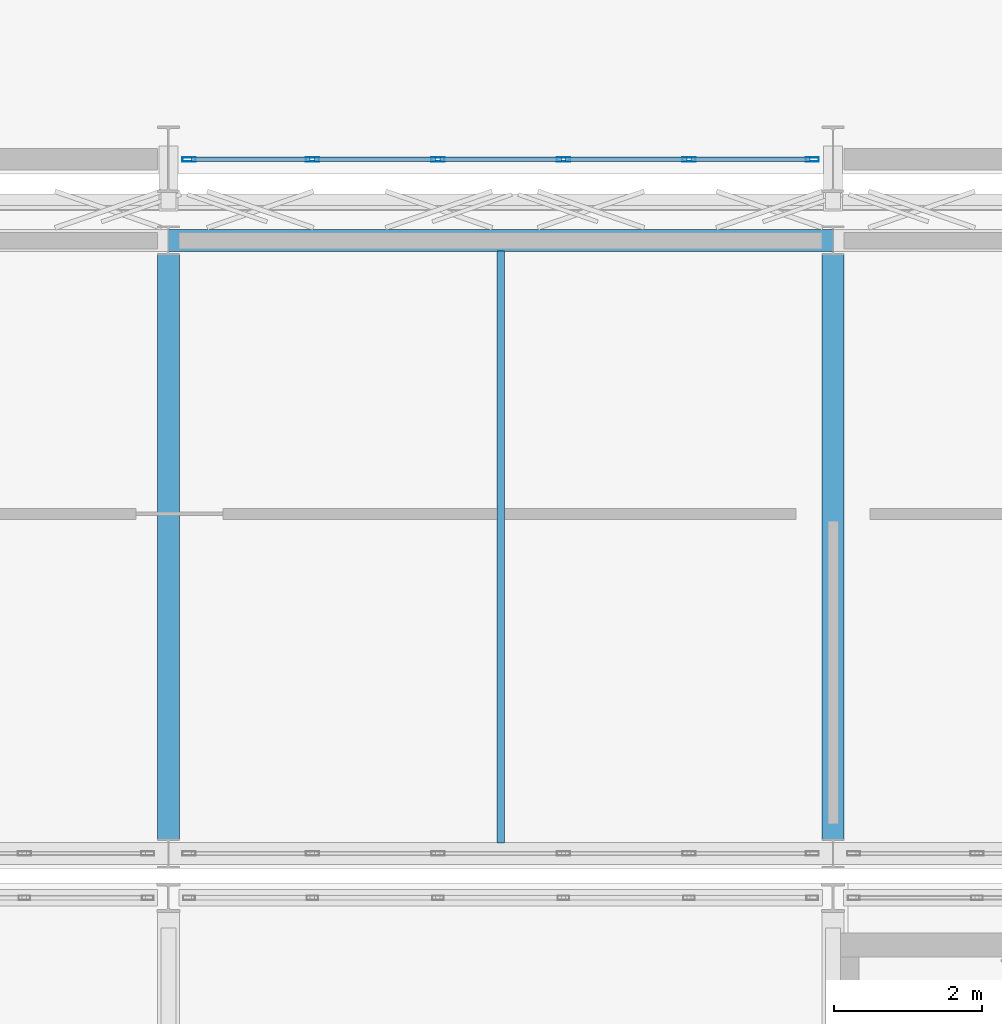
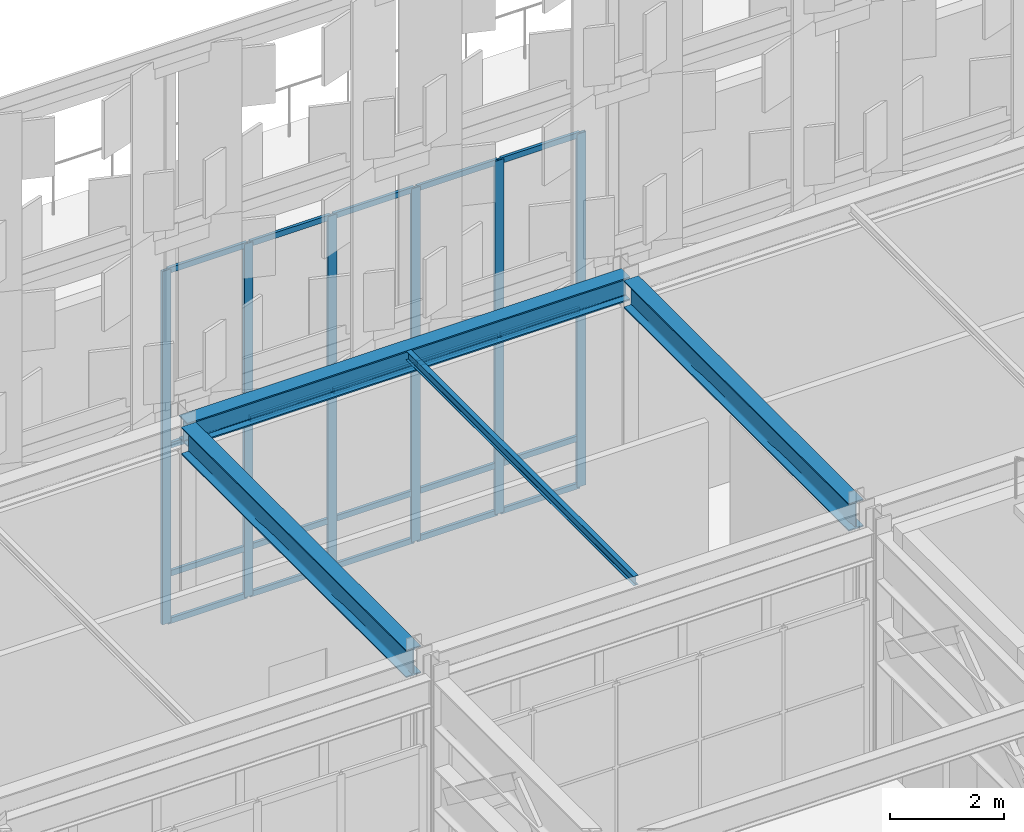
# One storey, part 49 of 210: 26 members, 4 beams, 1 element without a shape of its own.
"""IFC4 building model written with IfcOpenShell, lengths in metres."""

from ifc_helpers import new_model, si_unit, direction, frame, origin, origin_2d, place, context, subcontext, project, spatial, hollow_rectangle, i_section, extrude, material, material_profile, profile_set, type_object, element, aggregate, save


model = new_model("IFC4")

# Units and contexts
model_context = context("Model", 3, precision=1e-05, world=origin(), true_north=direction((0.0, 1.0)))
body_context = subcontext(model_context, "Body", "Model", "MODEL_VIEW")
ifc_project = project(units=[si_unit("LENGTHUNIT", "METRE"), si_unit("AREAUNIT", "SQUARE_METRE"), si_unit("VOLUMEUNIT", "CUBIC_METRE"), si_unit("PLANEANGLEUNIT", "RADIAN"), si_unit("MASSUNIT", "GRAM", prefix="KILO")], contexts=[model_context])

# Site, building, storey
site_placement = place(None, origin())
site = spatial("IfcSite", under=ifc_project, at=site_placement, CompositionType="ELEMENT")
building_placement = place(site_placement, origin())
building = spatial("IfcBuilding", under=site, at=building_placement, Name="Kaldris Quays Convention Centre", CompositionType="ELEMENT")
storey_placement = place(building_placement, frame((0.0, 0.0, 6.0)))
storey = spatial("IfcBuildingStorey", under=building, at=storey_placement, Name="L01", CompositionType="ELEMENT", Elevation=6.0)

# Curtain wall, members
ifc_material_1 = material(Name="Anodized aluminium AW-6060 and triple glazing", Category="aluminium")
curtain_wall_type = type_object("IfcCurtainWallType", Name="UNITISED CURTAIN WALL CW03", PredefinedType="NOTDEFINED", material=ifc_material_1)
curtain_wall_placement = place(storey_placement, origin())
curtain_wall = element("IfcCurtainWall", 1, at=curtain_wall_placement, inside=storey, type_object=curtain_wall_type, Name="L01 Unitised Curtain Wall CW03 3", PredefinedType="NOTDEFINED")
ifc_material_2 = material(Name="Anodized aluminium AW-6060", Category="aluminium")
ifc_material_profile_1 = material_profile(ifc_material_2, hollow_rectangle(XDim=0.06005859375, YDim=0.179931640625, WallThickness=0.0048828125, at=origin_2d()), Name="RHS 180x60x5")
ifc_profile_set_1 = profile_set([ifc_material_profile_1], Name="Anodized aluminium AW-6060")
member_type_1 = type_object("IfcMemberType", Name="CURTAIN MULLION CWM2", PredefinedType="MULLION", material=ifc_profile_set_1)
member_1_placement = place(storey_placement, frame((38.280029296875, 56.0, 0.0), z_axis=(0.0, 0.0, 1.0), x_axis=(0.0, 1.0, 0.0)))
member_1 = element("IfcMember", 2, at=member_1_placement, type_object=member_type_1, Name="CW03 mullion 1", PredefinedType="MULLION", context=body_context, shape_type="SweptSolid", body=[
    extrude(hollow_rectangle(XDim=0.06005859375, YDim=0.179931640625, WallThickness=0.0048828125, at=origin_2d()), origin(), (0.0, 0.0, 1.0), 7.60009765625),
])
member_2_placement = place(storey_placement, frame((39.949951171875, 56.0, 0.0), z_axis=(0.0, 0.0, 1.0), x_axis=(0.0, 1.0, 0.0)))
member_2 = element("IfcMember", 3, at=member_2_placement, type_object=member_type_1, Name="CW03 mullion 2", PredefinedType="MULLION", context=body_context, shape_type="SweptSolid", body=[
    extrude(hollow_rectangle(XDim=0.06005859375, YDim=0.179931640625, WallThickness=0.0048828125, at=origin_2d()), origin(), (0.0, 0.0, 1.0), 7.60009765625),
])
member_3_placement = place(storey_placement, frame((41.64990234375, 56.0, 0.0), z_axis=(0.0, 0.0, 1.0), x_axis=(0.0, 1.0, 0.0)))
member_3 = element("IfcMember", 4, at=member_3_placement, type_object=member_type_1, Name="CW03 mullion 3", PredefinedType="MULLION", context=body_context, shape_type="SweptSolid", body=[
    extrude(hollow_rectangle(XDim=0.06005859375, YDim=0.179931640625, WallThickness=0.0048828125, at=origin_2d()), origin(), (0.0, 0.0, 1.0), 7.60009765625),
])
member_4_placement = place(storey_placement, frame((43.35009765625, 56.0, 0.0), z_axis=(0.0, 0.0, 1.0), x_axis=(0.0, 1.0, 0.0)))
member_4 = element("IfcMember", 5, at=member_4_placement, type_object=member_type_1, Name="CW03 mullion 4", PredefinedType="MULLION", context=body_context, shape_type="SweptSolid", body=[
    extrude(hollow_rectangle(XDim=0.06005859375, YDim=0.179931640625, WallThickness=0.0048828125, at=origin_2d()), origin(), (0.0, 0.0, 1.0), 7.60009765625),
])
member_5_placement = place(storey_placement, frame((45.050048828125, 56.0, 0.0), z_axis=(0.0, 0.0, 1.0), x_axis=(0.0, 1.0, 0.0)))
member_5 = element("IfcMember", 6, at=member_5_placement, type_object=member_type_1, Name="CW03 mullion 5", PredefinedType="MULLION", context=body_context, shape_type="SweptSolid", body=[
    extrude(hollow_rectangle(XDim=0.06005859375, YDim=0.179931640625, WallThickness=0.0048828125, at=origin_2d()), origin(), (0.0, 0.0, 1.0), 7.60009765625),
])
member_6_placement = place(storey_placement, frame((46.719970703125, 56.0, 0.0), z_axis=(0.0, 0.0, 1.0), x_axis=(0.0, 1.0, 0.0)))
member_6 = element("IfcMember", 7, at=member_6_placement, type_object=member_type_1, Name="CW03 mullion 6", PredefinedType="MULLION", context=body_context, shape_type="SweptSolid", body=[
    extrude(hollow_rectangle(XDim=0.06005859375, YDim=0.179931640625, WallThickness=0.0048828125, at=origin_2d()), origin(), (0.0, 0.0, 1.0), 7.60009765625),
])
ifc_material_profile_2 = material_profile(ifc_material_2, hollow_rectangle(XDim=0.06005859375, YDim=0.1201171875, WallThickness=0.00390625, at=origin_2d()), Name="RHS 120x60x4")
ifc_profile_set_2 = profile_set([ifc_material_profile_2], Name="Anodized aluminium AW-6060")
member_type_2 = type_object("IfcMemberType", Name="CURTAIN TRANSOM CWT1", PredefinedType="USERDEFINED", material=ifc_profile_set_2)
member_7_placement = place(storey_placement, frame((38.31005859375, 56.0, 0.030029296875), z_axis=(1.0, 0.0, 0.0), x_axis=(0.0, 1.0, 0.0)))
member_7 = element("IfcMember", 8, at=member_7_placement, type_object=member_type_2, Name="CW03 transom 1.1", ObjectType="TRANSOM", PredefinedType="USERDEFINED", context=body_context, shape_type="SweptSolid", body=[
    extrude(hollow_rectangle(XDim=0.06005859375, YDim=0.1201171875, WallThickness=0.00390625, at=origin_2d()), origin(), (0.0, 0.0, 1.0), 1.60986328125),
])
member_8_placement = place(storey_placement, frame((38.31005859375, 56.0, 1.050048828125), z_axis=(1.0, 0.0, 0.0), x_axis=(0.0, 1.0, 0.0)))
member_8 = element("IfcMember", 9, at=member_8_placement, type_object=member_type_2, Name="CW03 transom 1.2", ObjectType="TRANSOM", PredefinedType="USERDEFINED", context=body_context, shape_type="SweptSolid", body=[
    extrude(hollow_rectangle(XDim=0.06005859375, YDim=0.1201171875, WallThickness=0.00390625, at=origin_2d()), origin(), (0.0, 0.0, 1.0), 1.60986328125),
])
member_9_placement = place(storey_placement, frame((38.31005859375, 56.0, 3.800048828125), z_axis=(1.0, 0.0, 0.0), x_axis=(0.0, 1.0, 0.0)))
member_9 = element("IfcMember", 10, at=member_9_placement, type_object=member_type_2, Name="CW03 transom 1.3", ObjectType="TRANSOM", PredefinedType="USERDEFINED", context=body_context, shape_type="SweptSolid", body=[
    extrude(hollow_rectangle(XDim=0.06005859375, YDim=0.1201171875, WallThickness=0.00390625, at=origin_2d()), origin(), (0.0, 0.0, 1.0), 1.60986328125),
])
member_10_placement = place(storey_placement, frame((38.31005859375, 56.0, 7.570068359375), z_axis=(1.0, 0.0, 0.0), x_axis=(0.0, 1.0, 0.0)))
member_10 = element("IfcMember", 11, at=member_10_placement, type_object=member_type_2, Name="CW03 transom 1.4", ObjectType="TRANSOM", PredefinedType="USERDEFINED", context=body_context, shape_type="SweptSolid", body=[
    extrude(hollow_rectangle(XDim=0.06005859375, YDim=0.1201171875, WallThickness=0.00390625, at=origin_2d()), origin(), (0.0, 0.0, 1.0), 1.60986328125),
])
member_11_placement = place(storey_placement, frame((39.97998046875, 56.0, 0.030029296875), z_axis=(1.0, 0.0, 0.0), x_axis=(0.0, 1.0, 0.0)))
member_11 = element("IfcMember", 12, at=member_11_placement, type_object=member_type_2, Name="CW03 transom 2.1", ObjectType="TRANSOM", PredefinedType="USERDEFINED", context=body_context, shape_type="SweptSolid", body=[
    extrude(hollow_rectangle(XDim=0.06005859375, YDim=0.1201171875, WallThickness=0.00390625, at=origin_2d()), origin(), (0.0, 0.0, 1.0), 1.64013671875),
])
member_12_placement = place(storey_placement, frame((39.97998046875, 56.0, 1.050048828125), z_axis=(1.0, 0.0, 0.0), x_axis=(0.0, 1.0, 0.0)))
member_12 = element("IfcMember", 13, at=member_12_placement, type_object=member_type_2, Name="CW03 transom 2.2", ObjectType="TRANSOM", PredefinedType="USERDEFINED", context=body_context, shape_type="SweptSolid", body=[
    extrude(hollow_rectangle(XDim=0.06005859375, YDim=0.1201171875, WallThickness=0.00390625, at=origin_2d()), origin(), (0.0, 0.0, 1.0), 1.64013671875),
])
member_13_placement = place(storey_placement, frame((39.97998046875, 56.0, 3.800048828125), z_axis=(1.0, 0.0, 0.0), x_axis=(0.0, 1.0, 0.0)))
member_13 = element("IfcMember", 14, at=member_13_placement, type_object=member_type_2, Name="CW03 transom 2.3", ObjectType="TRANSOM", PredefinedType="USERDEFINED", context=body_context, shape_type="SweptSolid", body=[
    extrude(hollow_rectangle(XDim=0.06005859375, YDim=0.1201171875, WallThickness=0.00390625, at=origin_2d()), origin(), (0.0, 0.0, 1.0), 1.64013671875),
])
member_14_placement = place(storey_placement, frame((39.97998046875, 56.0, 7.570068359375), z_axis=(1.0, 0.0, 0.0), x_axis=(0.0, 1.0, 0.0)))
member_14 = element("IfcMember", 15, at=member_14_placement, type_object=member_type_2, Name="CW03 transom 2.4", ObjectType="TRANSOM", PredefinedType="USERDEFINED", context=body_context, shape_type="SweptSolid", body=[
    extrude(hollow_rectangle(XDim=0.06005859375, YDim=0.1201171875, WallThickness=0.00390625, at=origin_2d()), origin(), (0.0, 0.0, 1.0), 1.64013671875),
])
member_15_placement = place(storey_placement, frame((41.679931640625, 56.0, 0.030029296875), z_axis=(1.0, 0.0, 0.0), x_axis=(0.0, 1.0, 0.0)))
member_15 = element("IfcMember", 16, at=member_15_placement, type_object=member_type_2, Name="CW03 transom 3.1", ObjectType="TRANSOM", PredefinedType="USERDEFINED", context=body_context, shape_type="SweptSolid", body=[
    extrude(hollow_rectangle(XDim=0.06005859375, YDim=0.1201171875, WallThickness=0.00390625, at=origin_2d()), origin(), (0.0, 0.0, 1.0), 1.64013671875),
])
member_16_placement = place(storey_placement, frame((41.679931640625, 56.0, 1.050048828125), z_axis=(1.0, 0.0, 0.0), x_axis=(0.0, 1.0, 0.0)))
member_16 = element("IfcMember", 17, at=member_16_placement, type_object=member_type_2, Name="CW03 transom 3.2", ObjectType="TRANSOM", PredefinedType="USERDEFINED", context=body_context, shape_type="SweptSolid", body=[
    extrude(hollow_rectangle(XDim=0.06005859375, YDim=0.1201171875, WallThickness=0.00390625, at=origin_2d()), origin(), (0.0, 0.0, 1.0), 1.64013671875),
])
member_17_placement = place(storey_placement, frame((41.679931640625, 56.0, 3.800048828125), z_axis=(1.0, 0.0, 0.0), x_axis=(0.0, 1.0, 0.0)))
member_17 = element("IfcMember", 18, at=member_17_placement, type_object=member_type_2, Name="CW03 transom 3.3", ObjectType="TRANSOM", PredefinedType="USERDEFINED", context=body_context, shape_type="SweptSolid", body=[
    extrude(hollow_rectangle(XDim=0.06005859375, YDim=0.1201171875, WallThickness=0.00390625, at=origin_2d()), origin(), (0.0, 0.0, 1.0), 1.64013671875),
])
member_18_placement = place(storey_placement, frame((41.679931640625, 56.0, 7.570068359375), z_axis=(1.0, 0.0, 0.0), x_axis=(0.0, 1.0, 0.0)))
member_18 = element("IfcMember", 19, at=member_18_placement, type_object=member_type_2, Name="CW03 transom 3.4", ObjectType="TRANSOM", PredefinedType="USERDEFINED", context=body_context, shape_type="SweptSolid", body=[
    extrude(hollow_rectangle(XDim=0.06005859375, YDim=0.1201171875, WallThickness=0.00390625, at=origin_2d()), origin(), (0.0, 0.0, 1.0), 1.64013671875),
])
member_19_placement = place(storey_placement, frame((43.3798828125, 56.0, 0.030029296875), z_axis=(1.0, 0.0, 0.0), x_axis=(0.0, 1.0, 0.0)))
member_19 = element("IfcMember", 20, at=member_19_placement, type_object=member_type_2, Name="CW03 transom 4.1", ObjectType="TRANSOM", PredefinedType="USERDEFINED", context=body_context, shape_type="SweptSolid", body=[
    extrude(hollow_rectangle(XDim=0.06005859375, YDim=0.1201171875, WallThickness=0.00390625, at=origin_2d()), origin(), (0.0, 0.0, 1.0), 1.64013671875),
])
member_20_placement = place(storey_placement, frame((43.3798828125, 56.0, 1.050048828125), z_axis=(1.0, 0.0, 0.0), x_axis=(0.0, 1.0, 0.0)))
member_20 = element("IfcMember", 21, at=member_20_placement, type_object=member_type_2, Name="CW03 transom 4.2", ObjectType="TRANSOM", PredefinedType="USERDEFINED", context=body_context, shape_type="SweptSolid", body=[
    extrude(hollow_rectangle(XDim=0.06005859375, YDim=0.1201171875, WallThickness=0.00390625, at=origin_2d()), origin(), (0.0, 0.0, 1.0), 1.64013671875),
])
member_21_placement = place(storey_placement, frame((43.3798828125, 56.0, 3.800048828125), z_axis=(1.0, 0.0, 0.0), x_axis=(0.0, 1.0, 0.0)))
member_21 = element("IfcMember", 22, at=member_21_placement, type_object=member_type_2, Name="CW03 transom 4.3", ObjectType="TRANSOM", PredefinedType="USERDEFINED", context=body_context, shape_type="SweptSolid", body=[
    extrude(hollow_rectangle(XDim=0.06005859375, YDim=0.1201171875, WallThickness=0.00390625, at=origin_2d()), origin(), (0.0, 0.0, 1.0), 1.64013671875),
])
member_22_placement = place(storey_placement, frame((43.3798828125, 56.0, 7.570068359375), z_axis=(1.0, 0.0, 0.0), x_axis=(0.0, 1.0, 0.0)))
member_22 = element("IfcMember", 23, at=member_22_placement, type_object=member_type_2, Name="CW03 transom 4.4", ObjectType="TRANSOM", PredefinedType="USERDEFINED", context=body_context, shape_type="SweptSolid", body=[
    extrude(hollow_rectangle(XDim=0.06005859375, YDim=0.1201171875, WallThickness=0.00390625, at=origin_2d()), origin(), (0.0, 0.0, 1.0), 1.64013671875),
])
member_23_placement = place(storey_placement, frame((45.080078125, 56.0, 0.030029296875), z_axis=(1.0, 0.0, 0.0), x_axis=(0.0, 1.0, 0.0)))
member_23 = element("IfcMember", 24, at=member_23_placement, type_object=member_type_2, Name="CW03 transom 5.1", ObjectType="TRANSOM", PredefinedType="USERDEFINED", context=body_context, shape_type="SweptSolid", body=[
    extrude(hollow_rectangle(XDim=0.06005859375, YDim=0.1201171875, WallThickness=0.00390625, at=origin_2d()), origin(), (0.0, 0.0, 1.0), 1.60986328125),
])
member_24_placement = place(storey_placement, frame((45.080078125, 56.0, 1.050048828125), z_axis=(1.0, 0.0, 0.0), x_axis=(0.0, 1.0, 0.0)))
member_24 = element("IfcMember", 25, at=member_24_placement, type_object=member_type_2, Name="CW03 transom 5.2", ObjectType="TRANSOM", PredefinedType="USERDEFINED", context=body_context, shape_type="SweptSolid", body=[
    extrude(hollow_rectangle(XDim=0.06005859375, YDim=0.1201171875, WallThickness=0.00390625, at=origin_2d()), origin(), (0.0, 0.0, 1.0), 1.60986328125),
])
member_25_placement = place(storey_placement, frame((45.080078125, 56.0, 3.800048828125), z_axis=(1.0, 0.0, 0.0), x_axis=(0.0, 1.0, 0.0)))
member_25 = element("IfcMember", 26, at=member_25_placement, type_object=member_type_2, Name="CW03 transom 5.3", ObjectType="TRANSOM", PredefinedType="USERDEFINED", context=body_context, shape_type="SweptSolid", body=[
    extrude(hollow_rectangle(XDim=0.06005859375, YDim=0.1201171875, WallThickness=0.00390625, at=origin_2d()), origin(), (0.0, 0.0, 1.0), 1.60986328125),
])
member_26_placement = place(storey_placement, frame((45.080078125, 56.0, 7.570068359375), z_axis=(1.0, 0.0, 0.0), x_axis=(0.0, 1.0, 0.0)))
member_26 = element("IfcMember", 27, at=member_26_placement, type_object=member_type_2, Name="CW03 transom 5.4", ObjectType="TRANSOM", PredefinedType="USERDEFINED", context=body_context, shape_type="SweptSolid", body=[
    extrude(hollow_rectangle(XDim=0.06005859375, YDim=0.1201171875, WallThickness=0.00390625, at=origin_2d()), origin(), (0.0, 0.0, 1.0), 1.60986328125),
])
aggregate(curtain_wall, [member_1, member_2, member_3, member_4, member_5, member_6, member_7, member_8, member_9, member_10, member_11, member_12, member_13, member_14, member_15, member_16, member_17, member_18, member_19, member_20, member_21, member_22, member_23, member_24, member_25, member_26])

# Beams
ifc_material_3 = material(Name="Steel S355J2", Category="steel")
ifc_material_profile_3 = material_profile(ifc_material_3, i_section(OverallWidth=0.300048828125, OverallDepth=0.5, WebThickness=0.014404296875, FlangeThickness=0.028076171875, FilletRadius=0.027099609375, at=origin_2d()), Name="HEB 500")
ifc_profile_set_3 = profile_set([ifc_material_profile_3], Name="Steel S355J2")
beam_type_1 = type_object("IfcBeamType", Name="STRUCTURAL BEAM BM06", PredefinedType="BEAM", material=ifc_profile_set_3)
beam_1_placement = place(storey_placement, frame((37.99951171875, 54.89990234375, 4.89306640625), z_axis=(1.0, 0.0, 0.0), x_axis=(0.0, 1.0, 0.0)))
element("IfcBeam", 28, at=beam_1_placement, inside=storey, type_object=beam_type_1, Name="L01 Girder BM06 8", PredefinedType="BEAM", context=body_context, shape_type="SweptSolid", body=[
    extrude(i_section(OverallWidth=0.300048828125, OverallDepth=0.5, WebThickness=0.014404296875, FlangeThickness=0.028076171875, FilletRadius=0.027099609375, at=origin_2d()), origin(), (0.0, 0.0, 1.0), 9.0009765625),
])
ifc_material_profile_4 = material_profile(ifc_material_3, i_section(OverallWidth=0.300048828125, OverallDepth=0.590087890625, WebThickness=0.012939453125, FlangeThickness=0.02490234375, FilletRadius=0.027099609375, at=origin_2d()), Name="HEA 600")
ifc_profile_set_4 = profile_set([ifc_material_profile_4], Name="Steel S355J2")
beam_type_2 = type_object("IfcBeamType", Name="STRUCTURAL BEAM BM08", PredefinedType="BEAM", material=ifc_profile_set_4)
for number, where, z_axis, x_axis, name in (
    (29, (38.0, 46.7890625, 4.847900390625), (0.0, 1.0, 0.0), (-1.0, 0.0, 0.0), "L01 Girder BM08 14"),
    (30, (47.0, 46.7890625, 4.847900390625), (0.0, 1.0, 0.0), (-1.0, 0.0, 0.0), "L01 Girder BM08 15"),
):
    element("IfcBeam", number, at=place(storey_placement, frame(where, z_axis=z_axis, x_axis=x_axis)), inside=storey, type_object=beam_type_2, Name=name, PredefinedType="BEAM", context=body_context, shape_type="SweptSolid", body=[
        extrude(i_section(OverallWidth=0.300048828125, OverallDepth=0.590087890625, WebThickness=0.012939453125, FlangeThickness=0.02490234375, FilletRadius=0.027099609375, at=origin_2d()), origin(), (0.0, 0.0, 1.0), 7.921875),
    ])
ifc_material_profile_5 = material_profile(ifc_material_3, i_section(OverallWidth=0.10009765625, OverallDepth=0.199951171875, WebThickness=0.005615234375, FlangeThickness=0.008544921875, FilletRadius=0.011962890625, at=origin_2d()), Name="IPE 200")
ifc_profile_set_5 = profile_set([ifc_material_profile_5], Name="Steel S355J2")
beam_type_3 = type_object("IfcBeamType", Name="STRUCTURAL BEAM JT09", PredefinedType="JOIST", material=ifc_profile_set_5)
beam_2_placement = place(storey_placement, frame((42.5, 46.743896484375, 5.04296875), z_axis=(0.0, 1.0, 0.0), x_axis=(-1.0, 0.0, 0.0)))
element("IfcBeam", 31, at=beam_2_placement, inside=storey, type_object=beam_type_3, Name="L01 Secondary Joist JT09 2", PredefinedType="JOIST", context=body_context, shape_type="SweptSolid", body=[
    extrude(i_section(OverallWidth=0.10009765625, OverallDepth=0.199951171875, WebThickness=0.005615234375, FlangeThickness=0.008544921875, FilletRadius=0.011962890625, at=origin_2d()), origin(), (0.0, 0.0, 1.0), 8.01220703125),
])

save(model, "model.ifc")
